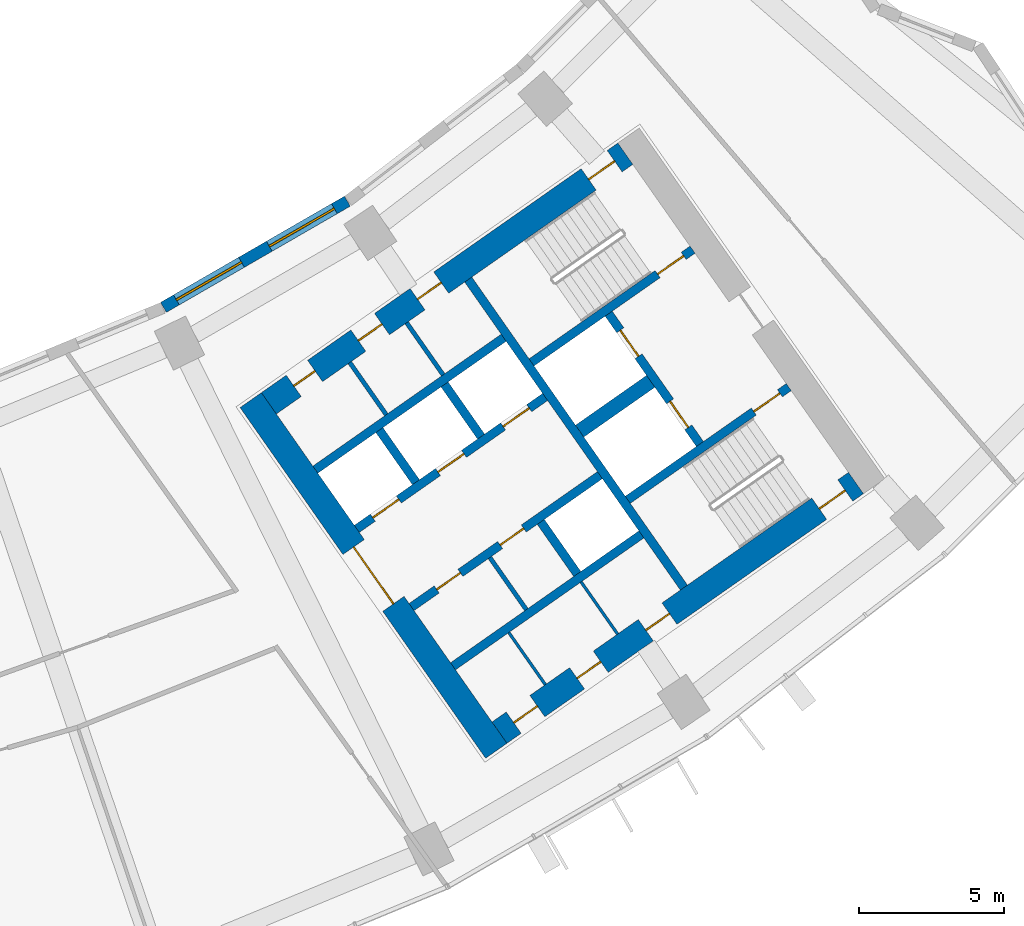
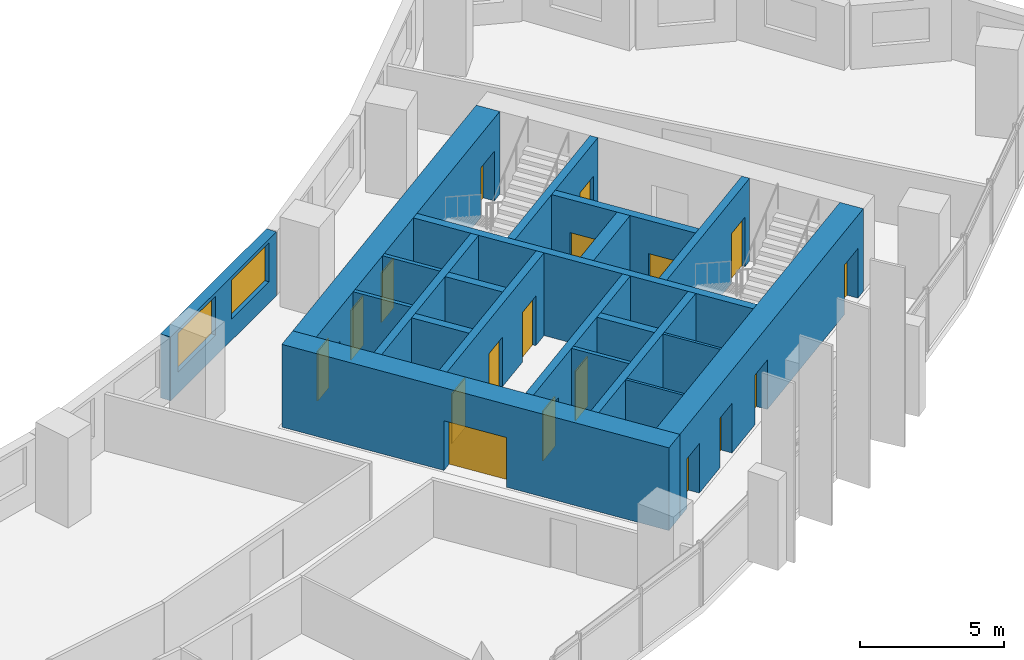
# One storey, part 7 of 30: 21 walls, 18 doors, 2 windows, 20 openings.
"""IFC4 building model written with IfcOpenShell, lengths in metres."""

from ifc_helpers import new_model, si_unit, direction, frame, frame_2d, origin, place, context, subcontext, project, spatial, rectangle, extrude, material, layer, layer_set, type_object, element, fill, save


model = new_model("IFC4")

# Units and contexts
model_context = context("Model", 3, precision=1e-05, world=origin(), true_north=direction((0.0, 1.0)))
body_context = subcontext(model_context, "Body", "Model", "MODEL_VIEW")
ifc_project = project(units=[si_unit("LENGTHUNIT", "METRE"), si_unit("AREAUNIT", "SQUARE_METRE"), si_unit("VOLUMEUNIT", "CUBIC_METRE"), si_unit("PLANEANGLEUNIT", "RADIAN"), si_unit("MASSUNIT", "GRAM", prefix="KILO")], contexts=[model_context])

# Site, building, storey
site_placement = place(None, origin())
site = spatial("IfcSite", under=ifc_project, at=site_placement, CompositionType="ELEMENT")
building_placement = place(site_placement, origin())
building = spatial("IfcBuilding", under=site, at=building_placement, Name="Qamariyya Broadcast Tower", CompositionType="ELEMENT")
storey_placement = place(building_placement, frame((0.0, 0.0, 125.300048828125)))
storey = spatial("IfcBuildingStorey", under=building, at=storey_placement, Name="L28", CompositionType="ELEMENT", Elevation=125.300048828125)

# Wall, opening, door
ifc_material_1 = material(Name="Concrete C70/85", Category="concrete")
ifc_layer_1 = layer(ifc_material_1, 0.89990234375)
ifc_layer_set_1 = layer_set([ifc_layer_1], Name="Core wall 900 mm Concrete C70/85")
wall_type_1 = type_object("IfcWallType", Name="Core wall 900 mm Concrete C70/85", PredefinedType="SHEAR", material=ifc_layer_set_1)
wall_1_placement = place(storey_placement, frame((36.716796875, -66.3369140625, 0.0), z_axis=(0.0, 0.0, 1.0), x_axis=(-0.573577477574, 0.819151315216, 0.0)))
wall_1 = element("IfcWall", 1, at=wall_1_placement, inside=storey, type_object=wall_type_1, Name="k-E-L28-WA", PredefinedType="SHEAR", context=body_context, shape_type="SweptSolid", body=[
    extrude(rectangle(XDim=14.800048828125, YDim=0.89990234375, at=frame_2d((7.39990234375, 0.0))), origin(), (0.0, 0.0, 1.0), 3.5),
])
opening_1_placement = place(wall_1_placement, frame((6.199951171875, 0.0, 0.0)))
opening_1 = element("IfcOpeningElement", 2, at=opening_1_placement, cuts=wall_1, Name="Opening KD3-E1", PredefinedType="OPENING", context=body_context, shape_type="SweptSolid", body=[
    extrude(rectangle(XDim=2.39990234375, YDim=2.10009765625, at=frame_2d((1.199951171875, 1.050048828125))), frame((0.0, 0.4599609375, 0.0), z_axis=(0.0, -1.0, 0.0), x_axis=(1.0, 0.0, 0.0)), (0.0, 0.0, 1.0), 0.919921875),
])
ifc_material_2 = material(Name="Steel fire-resisting door leaf", Category="steel")
door_type_1 = type_object("IfcDoorType", Name="Lift lobby door KD3", OperationType="DOUBLE_DOOR_SINGLE_SWING", PredefinedType="DOOR", material=ifc_material_2)
door_1_placement = place(opening_1_placement, origin())
door_1 = element("IfcDoor", 3, at=door_1_placement, inside=storey, type_object=door_type_1, Name="k-E-L28-WA-D1", OperationType="DOUBLE_DOOR_SINGLE_SWING", OverallHeight=2.10009765625, OverallWidth=2.39990234375, PredefinedType="DOOR", context=body_context, shape_type="SweptSolid", body=[
    extrude(rectangle(XDim=2.39990234375, YDim=2.10009765625, at=frame_2d((1.199951171875, 1.050048828125))), frame((0.0, 0.02490234375, 0.0), z_axis=(0.0, -1.0, 0.0), x_axis=(1.0, 0.0, 0.0)), (0.0, 0.0, 1.0), 0.050048828125),
])
fill(opening_1, door_1)

# Wall, openings, doors
wall_2_placement = place(storey_placement, frame((28.8544921875, -54.32421875, 0.0), z_axis=(0.0, 0.0, 1.0), x_axis=(0.819145767589, 0.573585400304, 0.0)))
wall_2 = element("IfcWall", 4, at=wall_2_placement, inside=storey, type_object=wall_type_1, Name="k-E-L28-WI", PredefinedType="SHEAR", context=body_context, shape_type="SweptSolid", body=[
    extrude(rectangle(XDim=15.04541015625, YDim=0.89990234375, at=frame_2d((7.522705078125, 0.0))), origin(), (0.0, 0.0, 1.0), 3.5),
])
opening_2_placement = place(wall_2_placement, frame((1.050048828125, 0.0, 0.0)))
opening_2 = element("IfcOpeningElement", 5, at=opening_2_placement, cuts=wall_2, Name="Opening KD5-E1", PredefinedType="OPENING", context=body_context, shape_type="SweptSolid", body=[
    extrude(rectangle(XDim=0.89990234375, YDim=2.10009765625, at=frame_2d((0.449951171875, 1.050048828125))), frame((0.0, 0.4599609375, 0.0), z_axis=(0.0, -1.0, 0.0), x_axis=(1.0, 0.0, 0.0)), (0.0, 0.0, 1.0), 0.919921875),
])
opening_3_placement = place(wall_2_placement, frame((3.77490234375, 0.0, 0.0)))
opening_3 = element("IfcOpeningElement", 6, at=opening_3_placement, cuts=wall_2, Name="Opening KD7-E1", PredefinedType="OPENING", context=body_context, shape_type="SweptSolid", body=[
    extrude(rectangle(XDim=1.0, YDim=2.10009765625, at=frame_2d((0.5, 1.050048828125))), frame((0.0, 0.4599609375, 0.0), z_axis=(0.0, -1.0, 0.0), x_axis=(1.0, 0.0, 0.0)), (0.0, 0.0, 1.0), 0.919921875),
])
opening_4_placement = place(wall_2_placement, frame((6.27490234375, 0.0, 0.0)))
opening_4 = element("IfcOpeningElement", 7, at=opening_4_placement, cuts=wall_2, Name="Opening KD6-E3", PredefinedType="OPENING", context=body_context, shape_type="SweptSolid", body=[
    extrude(rectangle(XDim=1.0, YDim=2.10009765625, at=frame_2d((0.5, 1.050048828125))), frame((0.0, 0.4599609375, 0.0), z_axis=(0.0, -1.0, 0.0), x_axis=(1.0, 0.0, 0.0)), (0.0, 0.0, 1.0), 0.919921875),
])
opening_5_placement = place(wall_2_placement, frame((13.495361328125, 0.0, 0.0)))
opening_5 = element("IfcOpeningElement", 8, at=opening_5_placement, cuts=wall_2, Name="Opening KD1-E1", PredefinedType="OPENING", context=body_context, shape_type="SweptSolid", body=[
    extrude(rectangle(XDim=1.10009765625, YDim=2.10009765625, at=frame_2d((0.550048828125, 1.050048828125))), frame((0.0, 0.4599609375, 0.0), z_axis=(0.0, -1.0, 0.0), x_axis=(1.0, 0.0, 0.0)), (0.0, 0.0, 1.0), 0.919921875),
])
door_type_2 = type_object("IfcDoorType", Name="Accessible toilet door KD7", OperationType="SINGLE_SWING_LEFT", PredefinedType="DOOR", material=ifc_material_2)
door_2_placement = place(opening_3_placement, origin())
door_2 = element("IfcDoor", 9, at=door_2_placement, inside=storey, type_object=door_type_2, Name="k-E-L28-WI-D8", OperationType="SINGLE_SWING_RIGHT", OverallHeight=2.10009765625, OverallWidth=1.0, PredefinedType="DOOR", context=body_context, shape_type="SweptSolid", body=[
    extrude(rectangle(XDim=1.0, YDim=2.10009765625, at=frame_2d((0.5, 1.050048828125))), frame((0.0, 0.02490234375, 0.0), z_axis=(0.0, -1.0, 0.0), x_axis=(1.0, 0.0, 0.0)), (0.0, 0.0, 1.0), 0.050048828125),
])
fill(opening_3, door_2)
door_type_3 = type_object("IfcDoorType", Name="Core room door KD6", OperationType="SINGLE_SWING_LEFT", PredefinedType="DOOR", material=ifc_material_2)
door_3_placement = place(opening_4_placement, origin())
door_3 = element("IfcDoor", 10, at=door_3_placement, inside=storey, type_object=door_type_3, Name="k-E-L28-WI-D9", OperationType="SINGLE_SWING_LEFT", OverallHeight=2.10009765625, OverallWidth=1.0, PredefinedType="DOOR", context=body_context, shape_type="SweptSolid", body=[
    extrude(rectangle(XDim=1.0, YDim=2.10009765625, at=frame_2d((0.5, 1.050048828125))), frame((0.0, 0.02490234375, 0.0), z_axis=(0.0, -1.0, 0.0), x_axis=(1.0, 0.0, 0.0)), (0.0, 0.0, 1.0), 0.050048828125),
])
fill(opening_4, door_3)
door_type_4 = type_object("IfcDoorType", Name="Stair door KD1", OperationType="SINGLE_SWING_LEFT", PredefinedType="DOOR", material=ifc_material_2)
door_4_placement = place(opening_5_placement, origin())
door_4 = element("IfcDoor", 11, at=door_4_placement, inside=storey, type_object=door_type_4, Name="k-E-L28-WI-D16", OperationType="SINGLE_SWING_RIGHT", OverallHeight=2.10009765625, OverallWidth=1.10009765625, PredefinedType="DOOR", context=body_context, shape_type="SweptSolid", body=[
    extrude(rectangle(XDim=1.10009765625, YDim=2.10009765625, at=frame_2d((0.550048828125, 1.050048828125))), frame((0.0, 0.02490234375, 0.0), z_axis=(0.0, -1.0, 0.0), x_axis=(1.0, 0.0, 0.0)), (0.0, 0.0, 1.0), 0.050048828125),
])
fill(opening_5, door_4)
door_type_5 = type_object("IfcDoorType", Name="Toilet door KD5", OperationType="SINGLE_SWING_LEFT", PredefinedType="DOOR", material=ifc_material_2)
door_5_placement = place(opening_2_placement, origin())
door_5 = element("IfcDoor", 12, at=door_5_placement, inside=storey, type_object=door_type_5, Name="k-E-L28-WI-D7", OperationType="SINGLE_SWING_LEFT", OverallHeight=2.10009765625, OverallWidth=0.89990234375, PredefinedType="DOOR", context=body_context, shape_type="SweptSolid", body=[
    extrude(rectangle(XDim=0.89990234375, YDim=2.10009765625, at=frame_2d((0.449951171875, 1.050048828125))), frame((0.0, 0.02490234375, 0.0), z_axis=(0.0, -1.0, 0.0), x_axis=(1.0, 0.0, 0.0)), (0.0, 0.0, 1.0), 0.050048828125),
])
fill(opening_2, door_5)

wall_3_placement = place(storey_placement, frame((36.827392578125, -65.710205078125, 0.0), z_axis=(0.0, 0.0, 1.0), x_axis=(0.819153391756, 0.573574511963, 0.0)))
wall_3 = element("IfcWall", 13, at=wall_3_placement, inside=storey, type_object=wall_type_1, Name="k-E-L28-WO", PredefinedType="SHEAR", context=body_context, shape_type="SweptSolid", body=[
    extrude(rectangle(XDim=15.04541015625, YDim=0.89990234375, at=frame_2d((7.522705078125, 0.0))), origin(), (0.0, 0.0, 1.0), 3.5),
])
opening_6_placement = place(wall_3_placement, frame((0.60009765625, 0.0, 0.0)))
opening_6 = element("IfcOpeningElement", 14, at=opening_6_placement, cuts=wall_3, Name="Opening KD4-E1", PredefinedType="OPENING", context=body_context, shape_type="SweptSolid", body=[
    extrude(rectangle(XDim=1.0, YDim=2.10009765625, at=frame_2d((0.5, 1.050048828125))), frame((0.0, 0.4599609375, 0.0), z_axis=(0.0, -1.0, 0.0), x_axis=(1.0, 0.0, 0.0)), (0.0, 0.0, 1.0), 0.919921875),
])
opening_7_placement = place(wall_3_placement, frame((3.27490234375, 0.0, 0.0)))
opening_7 = element("IfcOpeningElement", 15, at=opening_7_placement, cuts=wall_3, Name="Opening KD4-E2", PredefinedType="OPENING", context=body_context, shape_type="SweptSolid", body=[
    extrude(rectangle(XDim=1.0, YDim=2.10009765625, at=frame_2d((0.5, 1.050048828125))), frame((0.0, 0.4599609375, 0.0), z_axis=(0.0, -1.0, 0.0), x_axis=(1.0, 0.0, 0.0)), (0.0, 0.0, 1.0), 0.919921875),
])
opening_8_placement = place(wall_3_placement, frame((6.175048828125, 0.0, 0.0)))
opening_8 = element("IfcOpeningElement", 16, at=opening_8_placement, cuts=wall_3, Name="Opening KD4-E3", PredefinedType="OPENING", context=body_context, shape_type="SweptSolid", body=[
    extrude(rectangle(XDim=1.0, YDim=2.10009765625, at=frame_2d((0.5, 1.050048828125))), frame((0.0, 0.4599609375, 0.0), z_axis=(0.0, -1.0, 0.0), x_axis=(1.0, 0.0, 0.0)), (0.0, 0.0, 1.0), 0.919921875),
])
opening_9_placement = place(wall_3_placement, frame((13.495361328125, 0.0, 0.0)))
opening_9 = element("IfcOpeningElement", 17, at=opening_9_placement, cuts=wall_3, Name="Opening KD1-E3", PredefinedType="OPENING", context=body_context, shape_type="SweptSolid", body=[
    extrude(rectangle(XDim=1.10009765625, YDim=2.10009765625, at=frame_2d((0.550048828125, 1.050048828125))), frame((0.0, 0.4599609375, 0.0), z_axis=(0.0, -1.0, 0.0), x_axis=(1.0, 0.0, 0.0)), (0.0, 0.0, 1.0), 0.919921875),
])
door_type_6 = type_object("IfcDoorType", Name="Riser and plant door KD4", OperationType="SINGLE_SWING_LEFT", PredefinedType="DOOR", material=ifc_material_2)
door_6_placement = place(opening_6_placement, origin())
door_6 = element("IfcDoor", 18, at=door_6_placement, inside=storey, type_object=door_type_6, Name="k-E-L28-WO-D10", OperationType="SINGLE_SWING_RIGHT", OverallHeight=2.10009765625, OverallWidth=1.0, PredefinedType="DOOR", context=body_context, shape_type="SweptSolid", body=[
    extrude(rectangle(XDim=1.0, YDim=2.10009765625, at=frame_2d((0.5, 1.050048828125))), frame((0.0, 0.02490234375, 0.0), z_axis=(0.0, -1.0, 0.0), x_axis=(1.0, 0.0, 0.0)), (0.0, 0.0, 1.0), 0.050048828125),
])
fill(opening_6, door_6)
door_7_placement = place(opening_7_placement, origin())
door_7 = element("IfcDoor", 19, at=door_7_placement, inside=storey, type_object=door_type_6, Name="k-E-L28-WO-D11", OperationType="SINGLE_SWING_LEFT", OverallHeight=2.10009765625, OverallWidth=1.0, PredefinedType="DOOR", context=body_context, shape_type="SweptSolid", body=[
    extrude(rectangle(XDim=1.0, YDim=2.10009765625, at=frame_2d((0.5, 1.050048828125))), frame((0.0, 0.02490234375, 0.0), z_axis=(0.0, -1.0, 0.0), x_axis=(1.0, 0.0, 0.0)), (0.0, 0.0, 1.0), 0.050048828125),
])
fill(opening_7, door_7)
door_8_placement = place(opening_8_placement, origin())
door_8 = element("IfcDoor", 20, at=door_8_placement, inside=storey, type_object=door_type_6, Name="k-E-L28-WO-D12", OperationType="SINGLE_SWING_RIGHT", OverallHeight=2.10009765625, OverallWidth=1.0, PredefinedType="DOOR", context=body_context, shape_type="SweptSolid", body=[
    extrude(rectangle(XDim=1.0, YDim=2.10009765625, at=frame_2d((0.5, 1.050048828125))), frame((0.0, 0.02490234375, 0.0), z_axis=(0.0, -1.0, 0.0), x_axis=(1.0, 0.0, 0.0)), (0.0, 0.0, 1.0), 0.050048828125),
])
fill(opening_8, door_8)
door_9_placement = place(opening_9_placement, origin())
door_9 = element("IfcDoor", 21, at=door_9_placement, inside=storey, type_object=door_type_4, Name="k-E-L28-WO-D18", OperationType="SINGLE_SWING_LEFT", OverallHeight=2.10009765625, OverallWidth=1.10009765625, PredefinedType="DOOR", context=body_context, shape_type="SweptSolid", body=[
    extrude(rectangle(XDim=1.10009765625, YDim=2.10009765625, at=frame_2d((0.550048828125, 1.050048828125))), frame((0.0, 0.02490234375, 0.0), z_axis=(0.0, -1.0, 0.0), x_axis=(1.0, 0.0, 0.0)), (0.0, 0.0, 1.0), 0.050048828125),
])
fill(opening_9, door_9)

# Walls
ifc_material_3 = material(Name="Concrete C60/75", Category="concrete")
ifc_layer_2 = layer(ifc_material_3, 0.5)
ifc_layer_set_2 = layer_set([ifc_layer_2], Name="Fire-fighting lobby divider wall 500 mm Concrete C60/75")
wall_type_2 = type_object("IfcWallType", Name="Fire-fighting lobby divider wall 500 mm Concrete C60/75", PredefinedType="SOLIDWALL", material=ifc_layer_set_2)
wall_4_placement = place(storey_placement, frame((39.59912109375, -55.28515625, 0.0), z_axis=(0.0, 0.0, 1.0), x_axis=(0.819136323161, 0.573598887793, 0.0)))
element("IfcWall", 22, at=wall_4_placement, inside=storey, type_object=wall_type_2, Name="k-E-L28-FD", PredefinedType="SOLIDWALL", context=body_context, shape_type="SweptSolid", body=[
    extrude(rectangle(XDim=2.999755859375, YDim=0.5, at=frame_2d((1.5, 0.0))), origin(), (0.0, 0.0, 1.0), 3.5),
])
ifc_material_4 = material(Name="Gypsum board partition on steel studs", Category="steel")
ifc_layer_3 = layer(ifc_material_4, 0.14990234375)
ifc_layer_set_3 = layer_set([ifc_layer_3], Name="Gypsum board partition 150 mm")
wall_type_3 = type_object("IfcWallType", Name="Gypsum board partition 150 mm", PredefinedType="PARTITIONING", material=ifc_layer_set_3)
wall_5_placement = place(storey_placement, frame((36.49462890625, -59.65625, 0.0), z_axis=(0.0, 0.0, 1.0), x_axis=(0.573633636671, -0.819111989218, 0.0)))
element("IfcWall", 23, at=wall_5_placement, inside=storey, type_object=wall_type_3, Name="k-E-L28-SC320", PredefinedType="PARTITIONING", context=body_context, shape_type="SweptSolid", body=[
    extrude(rectangle(XDim=2.199951171875, YDim=0.14990234375, at=frame_2d((1.10009765625, 0.0))), origin(), (0.0, 0.0, 1.0), 3.5),
])
wall_6_placement = place(storey_placement, frame((32.9140625, -54.716796875, 0.0), z_axis=(0.0, 0.0, 1.0), x_axis=(-0.573581496053, 0.819148501424, 0.0)))
element("IfcWall", 24, at=wall_6_placement, inside=storey, type_object=wall_type_3, Name="k-E-L28-NP310", PredefinedType="PARTITIONING", context=body_context, shape_type="SweptSolid", body=[
    extrude(rectangle(XDim=2.2001953125, YDim=0.14990234375, at=frame_2d((1.10009765625, 0.0))), origin(), (0.0, 0.0, 1.0), 3.5),
])
wall_7_placement = place(storey_placement, frame((34.8798828125, -53.340087890625, 0.0), z_axis=(0.0, 0.0, 1.0), x_axis=(-0.573559170999, 0.819164133348, 0.0)))
element("IfcWall", 25, at=wall_7_placement, inside=storey, type_object=wall_type_3, Name="k-E-L28-NP550", PredefinedType="PARTITIONING", context=body_context, shape_type="SweptSolid", body=[
    extrude(rectangle(XDim=2.19970703125, YDim=0.14990234375, at=frame_2d((1.099853515625, 0.0))), origin(), (0.0, 0.0, 1.0), 3.5),
])
ifc_layer_4 = layer(ifc_material_3, 0.300048828125)
ifc_layer_set_4 = layer_set([ifc_layer_4], Name="Lift shaft wall 300 mm Concrete C60/75")
wall_type_4 = type_object("IfcWallType", Name="Lift shaft wall 300 mm Concrete C60/75", PredefinedType="SOLIDWALL", material=ifc_layer_set_4)
wall_8_placement = place(storey_placement, frame((43.204345703125, -60.69580078125, 0.0), z_axis=(0.0, 0.0, 1.0), x_axis=(-0.573571992966, 0.819155155563, 0.0)))
element("IfcWall", 26, at=wall_8_placement, inside=storey, type_object=wall_type_4, Name="k-E-L28-WL", PredefinedType="SOLIDWALL", context=body_context, shape_type="SweptSolid", body=[
    extrude(rectangle(XDim=13.000244140625, YDim=0.300048828125, at=frame_2d((6.5, 0.0))), origin(), (0.0, 0.0, 1.0), 3.5),
])

# Wall, openings, doors
wall_9_placement = place(storey_placement, frame((31.89453125, -58.66552734375, 0.0), z_axis=(0.0, 0.0, 1.0), x_axis=(0.819166993208, 0.573555086491, 0.0)))
wall_9 = element("IfcWall", 27, at=wall_9_placement, inside=storey, type_object=wall_type_4, Name="k-E-L28-NF0", PredefinedType="SOLIDWALL", context=body_context, shape_type="SweptSolid", body=[
    extrude(rectangle(XDim=7.9501953125, YDim=0.300048828125, at=frame_2d((3.97509765625, 0.0))), origin(), (0.0, 0.0, 1.0), 3.5),
])
opening_10_placement = place(wall_9_placement, frame((0.675048828125, 0.0, 0.0)))
opening_10 = element("IfcOpeningElement", 28, at=opening_10_placement, cuts=wall_9, Name="Opening LD", PredefinedType="OPENING", context=body_context, shape_type="SweptSolid", body=[
    extrude(rectangle(XDim=1.10009765625, YDim=2.10009765625, at=frame_2d((0.550048828125, 1.050048828125))), frame((0.0, 0.159912109375, 0.0), z_axis=(0.0, -1.0, 0.0), x_axis=(1.0, 0.0, 0.0)), (0.0, 0.0, 1.0), 0.320068359375),
])
opening_11_placement = place(wall_9_placement, frame((3.425048828125, 0.0, 0.0)))
opening_11 = element("IfcOpeningElement", 29, at=opening_11_placement, cuts=wall_9, Name="Opening LD", PredefinedType="OPENING", context=body_context, shape_type="SweptSolid", body=[
    extrude(rectangle(XDim=1.10009765625, YDim=2.10009765625, at=frame_2d((0.550048828125, 1.050048828125))), frame((0.0, 0.159912109375, 0.0), z_axis=(0.0, -1.0, 0.0), x_axis=(1.0, 0.0, 0.0)), (0.0, 0.0, 1.0), 0.320068359375),
])
opening_12_placement = place(wall_9_placement, frame((6.175048828125, 0.0, 0.0)))
opening_12 = element("IfcOpeningElement", 30, at=opening_12_placement, cuts=wall_9, Name="Opening LD", PredefinedType="OPENING", context=body_context, shape_type="SweptSolid", body=[
    extrude(rectangle(XDim=1.10009765625, YDim=2.10009765625, at=frame_2d((0.550048828125, 1.050048828125))), frame((0.0, 0.159912109375, 0.0), z_axis=(0.0, -1.0, 0.0), x_axis=(1.0, 0.0, 0.0)), (0.0, 0.0, 1.0), 0.320068359375),
])
door_type_7 = type_object("IfcDoorType", Name="Lift landing door LD", OperationType="DOUBLE_DOOR_SLIDING", PredefinedType="DOOR", material=ifc_material_2)
door_10_placement = place(opening_10_placement, origin())
door_10 = element("IfcDoor", 31, at=door_10_placement, inside=storey, type_object=door_type_7, Name="k-E-L28-NF0-D2", OperationType="DOUBLE_DOOR_SLIDING", OverallHeight=2.10009765625, OverallWidth=1.10009765625, PredefinedType="DOOR", context=body_context, shape_type="SweptSolid", body=[
    extrude(rectangle(XDim=1.10009765625, YDim=2.10009765625, at=frame_2d((0.550048828125, 1.050048828125))), frame((0.0, 0.02490234375, 0.0), z_axis=(0.0, -1.0, 0.0), x_axis=(1.0, 0.0, 0.0)), (0.0, 0.0, 1.0), 0.050048828125),
])
fill(opening_10, door_10)
door_11_placement = place(opening_11_placement, origin())
door_11 = element("IfcDoor", 32, at=door_11_placement, inside=storey, type_object=door_type_7, Name="k-E-L28-NF0-D3", OperationType="DOUBLE_DOOR_SLIDING", OverallHeight=2.10009765625, OverallWidth=1.10009765625, PredefinedType="DOOR", context=body_context, shape_type="SweptSolid", body=[
    extrude(rectangle(XDim=1.10009765625, YDim=2.10009765625, at=frame_2d((0.550048828125, 1.050048828125))), frame((0.0, 0.02490234375, 0.0), z_axis=(0.0, -1.0, 0.0), x_axis=(1.0, 0.0, 0.0)), (0.0, 0.0, 1.0), 0.050048828125),
])
fill(opening_11, door_11)
door_12_placement = place(opening_12_placement, origin())
door_12 = element("IfcDoor", 33, at=door_12_placement, inside=storey, type_object=door_type_7, Name="k-E-L28-NF0-D4", OperationType="DOUBLE_DOOR_SLIDING", OverallHeight=2.10009765625, OverallWidth=1.10009765625, PredefinedType="DOOR", context=body_context, shape_type="SweptSolid", body=[
    extrude(rectangle(XDim=1.10009765625, YDim=2.10009765625, at=frame_2d((0.550048828125, 1.050048828125))), frame((0.0, 0.02490234375, 0.0), z_axis=(0.0, -1.0, 0.0), x_axis=(1.0, 0.0, 0.0)), (0.0, 0.0, 1.0), 0.050048828125),
])
fill(opening_12, door_12)

# Walls
wall_10_placement = place(storey_placement, frame((30.460693359375, -56.61767578125, 0.0), z_axis=(0.0, 0.0, 1.0), x_axis=(0.819142461705, 0.573590121456, 0.0)))
element("IfcWall", 34, at=wall_10_placement, inside=storey, type_object=wall_type_4, Name="k-E-L28-NB0", PredefinedType="SOLIDWALL", context=body_context, shape_type="SweptSolid", body=[
    extrude(rectangle(XDim=7.949951171875, YDim=0.300048828125, at=frame_2d((3.97509765625, 0.0))), origin(), (0.0, 0.0, 1.0), 3.5),
])
wall_11_placement = place(storey_placement, frame((33.9384765625, -57.051513671875, 0.0), z_axis=(0.0, 0.0, 1.0), x_axis=(-0.573581496053, 0.819148501424, 0.0)))
element("IfcWall", 35, at=wall_11_placement, inside=storey, type_object=wall_type_4, Name="k-E-L28-ND0", PredefinedType="SOLIDWALL", context=body_context, shape_type="SweptSolid", body=[
    extrude(rectangle(XDim=2.2001953125, YDim=0.300048828125, at=frame_2d((1.10009765625, 0.0))), origin(), (0.0, 0.0, 1.0), 3.5),
])
wall_12_placement = place(storey_placement, frame((36.19091796875, -55.47412109375, 0.0), z_axis=(0.0, 0.0, 1.0), x_axis=(-0.573507030513, 0.819200638399, 0.0)))
element("IfcWall", 36, at=wall_12_placement, inside=storey, type_object=wall_type_4, Name="k-E-L28-ND1", PredefinedType="SOLIDWALL", context=body_context, shape_type="SweptSolid", body=[
    extrude(rectangle(XDim=2.199951171875, YDim=0.300048828125, at=frame_2d((1.10009765625, 0.0))), origin(), (0.0, 0.0, 1.0), 3.5),
])

# Wall, openings, doors
wall_13_placement = place(storey_placement, frame((33.787353515625, -61.368896484375, 0.0), z_axis=(0.0, 0.0, 1.0), x_axis=(0.819152564888, 0.573575692858, 0.0)))
wall_13 = element("IfcWall", 37, at=wall_13_placement, inside=storey, type_object=wall_type_4, Name="k-E-L28-SF0", PredefinedType="SOLIDWALL", context=body_context, shape_type="SweptSolid", body=[
    extrude(rectangle(XDim=7.9501953125, YDim=0.300048828125, at=frame_2d((3.97509765625, 0.0))), origin(), (0.0, 0.0, 1.0), 3.5),
])
opening_13_placement = place(wall_13_placement, frame((1.0625, 0.0, 0.0)))
opening_13 = element("IfcOpeningElement", 38, at=opening_13_placement, cuts=wall_13, Name="Opening KD6-E1", PredefinedType="OPENING", context=body_context, shape_type="SweptSolid", body=[
    extrude(rectangle(XDim=1.0, YDim=2.10009765625, at=frame_2d((0.5, 1.050048828125))), frame((0.0, 0.159912109375, 0.0), z_axis=(0.0, -1.0, 0.0), x_axis=(1.0, 0.0, 0.0)), (0.0, 0.0, 1.0), 0.320068359375),
])
opening_14_placement = place(wall_13_placement, frame((3.737548828125, 0.0, 0.0)))
opening_14 = element("IfcOpeningElement", 39, at=opening_14_placement, cuts=wall_13, Name="Opening KD6-E2", PredefinedType="OPENING", context=body_context, shape_type="SweptSolid", body=[
    extrude(rectangle(XDim=1.0, YDim=2.10009765625, at=frame_2d((0.5, 1.050048828125))), frame((0.0, 0.159912109375, 0.0), z_axis=(0.0, -1.0, 0.0), x_axis=(1.0, 0.0, 0.0)), (0.0, 0.0, 1.0), 0.320068359375),
])
door_13_placement = place(opening_13_placement, origin())
door_13 = element("IfcDoor", 40, at=door_13_placement, inside=storey, type_object=door_type_3, Name="k-E-L28-SF0-D5", OperationType="SINGLE_SWING_LEFT", OverallHeight=2.10009765625, OverallWidth=1.0, PredefinedType="DOOR", context=body_context, shape_type="SweptSolid", body=[
    extrude(rectangle(XDim=1.0, YDim=2.10009765625, at=frame_2d((0.5, 1.050048828125))), frame((0.0, 0.02490234375, 0.0), z_axis=(0.0, -1.0, 0.0), x_axis=(1.0, 0.0, 0.0)), (0.0, 0.0, 1.0), 0.050048828125),
])
fill(opening_13, door_13)
door_14_placement = place(opening_14_placement, origin())
door_14 = element("IfcDoor", 41, at=door_14_placement, inside=storey, type_object=door_type_3, Name="k-E-L28-SF0-D6", OperationType="SINGLE_SWING_RIGHT", OverallHeight=2.10009765625, OverallWidth=1.0, PredefinedType="DOOR", context=body_context, shape_type="SweptSolid", body=[
    extrude(rectangle(XDim=1.0, YDim=2.10009765625, at=frame_2d((0.5, 1.050048828125))), frame((0.0, 0.02490234375, 0.0), z_axis=(0.0, -1.0, 0.0), x_axis=(1.0, 0.0, 0.0)), (0.0, 0.0, 1.0), 0.050048828125),
])
fill(opening_14, door_14)

# Walls
wall_14_placement = place(storey_placement, frame((35.22119140625, -63.41650390625, 0.0), z_axis=(0.0, 0.0, 1.0), x_axis=(0.819166993208, 0.573555086491, 0.0)))
element("IfcWall", 42, at=wall_14_placement, inside=storey, type_object=wall_type_4, Name="k-E-L28-SB0", PredefinedType="SOLIDWALL", context=body_context, shape_type="SweptSolid", body=[
    extrude(rectangle(XDim=7.9501953125, YDim=0.300048828125, at=frame_2d((3.97509765625, 0.0))), origin(), (0.0, 0.0, 1.0), 3.5),
])
wall_15_placement = place(storey_placement, frame((38.255859375, -58.423095703125, 0.0), z_axis=(0.0, 0.0, 1.0), x_axis=(0.573633636671, -0.819111989218, 0.0)))
element("IfcWall", 43, at=wall_15_placement, inside=storey, type_object=wall_type_4, Name="k-E-L28-SD1", PredefinedType="SOLIDWALL", context=body_context, shape_type="SweptSolid", body=[
    extrude(rectangle(XDim=2.199951171875, YDim=0.300048828125, at=frame_2d((1.10009765625, 0.0))), origin(), (0.0, 0.0, 1.0), 3.5),
])

# Wall, opening, door
wall_16_placement = place(storey_placement, frame((37.935546875, -52.90966796875, 0.0), z_axis=(0.0, 0.0, 1.0), x_axis=(0.819147518138, 0.57358290031, 0.0)))
wall_16 = element("IfcWall", 44, at=wall_16_placement, inside=storey, type_object=wall_type_4, Name="k-E-L28-NW", PredefinedType="SOLIDWALL", context=body_context, shape_type="SweptSolid", body=[
    extrude(rectangle(XDim=6.79541015625, YDim=0.300048828125, at=frame_2d((3.397705078125, 0.0))), origin(), (0.0, 0.0, 1.0), 3.5),
])
opening_15_placement = place(wall_16_placement, frame((5.3203125, 0.0, 0.0)))
opening_15 = element("IfcOpeningElement", 45, at=opening_15_placement, cuts=wall_16, Name="Opening KD1-E2", PredefinedType="OPENING", context=body_context, shape_type="SweptSolid", body=[
    extrude(rectangle(XDim=1.10009765625, YDim=2.10009765625, at=frame_2d((0.550048828125, 1.050048828125))), frame((0.0, 0.159912109375, 0.0), z_axis=(0.0, -1.0, 0.0), x_axis=(1.0, 0.0, 0.0)), (0.0, 0.0, 1.0), 0.320068359375),
])
door_15_placement = place(opening_15_placement, origin())
door_15 = element("IfcDoor", 46, at=door_15_placement, inside=storey, type_object=door_type_4, Name="k-E-L28-NW-D17", OperationType="SINGLE_SWING_LEFT", OverallHeight=2.10009765625, OverallWidth=1.10009765625, PredefinedType="DOOR", context=body_context, shape_type="SweptSolid", body=[
    extrude(rectangle(XDim=1.10009765625, YDim=2.10009765625, at=frame_2d((0.550048828125, 1.050048828125))), frame((0.0, 0.02490234375, 0.0), z_axis=(0.0, -1.0, 0.0), x_axis=(1.0, 0.0, 0.0)), (0.0, 0.0, 1.0), 0.050048828125),
])
fill(opening_15, door_15)

wall_17_placement = place(storey_placement, frame((41.262451171875, -57.66064453125, 0.0), z_axis=(0.0, 0.0, 1.0), x_axis=(0.819164398642, 0.573558792102, 0.0)))
wall_17 = element("IfcWall", 47, at=wall_17_placement, inside=storey, type_object=wall_type_4, Name="k-E-L28-SW", PredefinedType="SOLIDWALL", context=body_context, shape_type="SweptSolid", body=[
    extrude(rectangle(XDim=6.795166015625, YDim=0.300048828125, at=frame_2d((3.3974609375, 0.0))), origin(), (0.0, 0.0, 1.0), 3.5),
])
opening_16_placement = place(wall_17_placement, frame((5.3203125, 0.0, 0.0)))
opening_16 = element("IfcOpeningElement", 48, at=opening_16_placement, cuts=wall_17, Name="Opening KD1-E4", PredefinedType="OPENING", context=body_context, shape_type="SweptSolid", body=[
    extrude(rectangle(XDim=1.10009765625, YDim=2.10009765625, at=frame_2d((0.550048828125, 1.050048828125))), frame((0.0, 0.159912109375, 0.0), z_axis=(0.0, -1.0, 0.0), x_axis=(1.0, 0.0, 0.0)), (0.0, 0.0, 1.0), 0.320068359375),
])
door_16_placement = place(opening_16_placement, origin())
door_16 = element("IfcDoor", 49, at=door_16_placement, inside=storey, type_object=door_type_4, Name="k-E-L28-SW-D19", OperationType="SINGLE_SWING_LEFT", OverallHeight=2.10009765625, OverallWidth=1.10009765625, PredefinedType="DOOR", context=body_context, shape_type="SweptSolid", body=[
    extrude(rectangle(XDim=1.10009765625, YDim=2.10009765625, at=frame_2d((0.550048828125, 1.050048828125))), frame((0.0, 0.02490234375, 0.0), z_axis=(0.0, -1.0, 0.0), x_axis=(1.0, 0.0, 0.0)), (0.0, 0.0, 1.0), 0.050048828125),
])
fill(opening_16, door_16)

# Wall, openings, doors
wall_18_placement = place(storey_placement, frame((43.756591796875, -55.731201171875, 0.0), z_axis=(0.0, 0.0, 1.0), x_axis=(-0.573536818435, 0.819179783625, 0.0)))
wall_18 = element("IfcWall", 50, at=wall_18_placement, inside=storey, type_object=wall_type_4, Name="k-E-L28-FF", PredefinedType="SOLIDWALL", context=body_context, shape_type="SweptSolid", body=[
    extrude(rectangle(XDim=5.500244140625, YDim=0.300048828125, at=frame_2d((2.75, 0.0))), origin(), (0.0, 0.0, 1.0), 3.5),
])
opening_17_placement = place(wall_18_placement, frame((0.699951171875, 0.0, 0.0)))
opening_17 = element("IfcOpeningElement", 51, at=opening_17_placement, cuts=wall_18, Name="Opening LD", PredefinedType="OPENING", context=body_context, shape_type="SweptSolid", body=[
    extrude(rectangle(XDim=1.10009765625, YDim=2.10009765625, at=frame_2d((0.550048828125, 1.050048828125))), frame((0.0, 0.159912109375, 0.0), z_axis=(0.0, -1.0, 0.0), x_axis=(1.0, 0.0, 0.0)), (0.0, 0.0, 1.0), 0.320068359375),
])
opening_18_placement = place(wall_18_placement, frame((3.699951171875, 0.0, 0.0)))
opening_18 = element("IfcOpeningElement", 52, at=opening_18_placement, cuts=wall_18, Name="Opening LD", PredefinedType="OPENING", context=body_context, shape_type="SweptSolid", body=[
    extrude(rectangle(XDim=1.10009765625, YDim=2.10009765625, at=frame_2d((0.550048828125, 1.050048828125))), frame((0.0, 0.159912109375, 0.0), z_axis=(0.0, -1.0, 0.0), x_axis=(1.0, 0.0, 0.0)), (0.0, 0.0, 1.0), 0.320068359375),
])
door_17_placement = place(opening_17_placement, origin())
door_17 = element("IfcDoor", 53, at=door_17_placement, inside=storey, type_object=door_type_7, Name="k-E-L28-FF-D13", OperationType="DOUBLE_DOOR_SLIDING", OverallHeight=2.10009765625, OverallWidth=1.10009765625, PredefinedType="DOOR", context=body_context, shape_type="SweptSolid", body=[
    extrude(rectangle(XDim=1.10009765625, YDim=2.10009765625, at=frame_2d((0.550048828125, 1.050048828125))), frame((0.0, 0.02490234375, 0.0), z_axis=(0.0, -1.0, 0.0), x_axis=(1.0, 0.0, 0.0)), (0.0, 0.0, 1.0), 0.050048828125),
])
fill(opening_17, door_17)
door_18_placement = place(opening_18_placement, origin())
door_18 = element("IfcDoor", 54, at=door_18_placement, inside=storey, type_object=door_type_7, Name="k-E-L28-FF-D14", OperationType="DOUBLE_DOOR_SLIDING", OverallHeight=2.10009765625, OverallWidth=1.10009765625, PredefinedType="DOOR", context=body_context, shape_type="SweptSolid", body=[
    extrude(rectangle(XDim=1.10009765625, YDim=2.10009765625, at=frame_2d((0.550048828125, 1.050048828125))), frame((0.0, 0.02490234375, 0.0), z_axis=(0.0, -1.0, 0.0), x_axis=(1.0, 0.0, 0.0)), (0.0, 0.0, 1.0), 0.050048828125),
])
fill(opening_18, door_18)

# Walls
ifc_material_5 = material(Name="Fire-rated gypsum shaft liner on steel studs", Category="steel")
ifc_layer_5 = layer(ifc_material_5, 0.10009765625)
ifc_layer_set_5 = layer_set([ifc_layer_5], Name="Riser wall 100 mm")
wall_type_5 = type_object("IfcWallType", Name="Riser wall 100 mm", PredefinedType="PLUMBINGWALL", material=ifc_layer_set_5)
for number, where, z_axis, x_axis, name in (
    (55, (37.150390625, -62.2490234375, 0.0), (0.0, 0.0, 1.0), (0.573633636671, -0.819111989218, 0.0), "k-E-L28-SP225"),
    (56, (39.64892578125, -60.49951171875, 0.0), (0.0, 0.0, 1.0), (0.573507030513, -0.819200638399, 0.0), "k-E-L28-SP530"),
):
    element("IfcWall", number, at=place(storey_placement, frame(where, z_axis=z_axis, x_axis=x_axis)), inside=storey, type_object=wall_type_5, Name=name, PredefinedType="PLUMBINGWALL", context=body_context, shape_type="SweptSolid", body=[
        extrude(rectangle(XDim=2.199951171875, YDim=0.10009765625, at=frame_2d((1.10009765625, 0.0))), origin(), (0.0, 0.0, 1.0), 3.5),
    ])

# Wall, openings, windows
ifc_material_6 = material(Name="Terracotta", Category="masonry")
ifc_layer_6 = layer(ifc_material_6, 0.39990234375)
ifc_layer_set_6 = layer_set([ifc_layer_6], Name="Terracotta clad wall 400")
wall_type_6 = type_object("IfcWallType", Name="Terracotta clad wall 400", PredefinedType="SOLIDWALL", material=ifc_layer_set_6)
wall_19_placement = place(storey_placement, frame((31.568359375, -47.33642578125, 0.0), z_axis=(0.0, 0.0, 1.0), x_axis=(-0.866030525931, -0.499991128077, 0.0)))
wall_19 = element("IfcWall", 57, at=wall_19_placement, inside=storey, type_object=wall_type_6, Name="e-wl-L28-in130", PredefinedType="SOLIDWALL", context=body_context, shape_type="SweptSolid", body=[
    extrude(rectangle(XDim=7.341552734375, YDim=0.39990234375, at=frame_2d((3.6708984375, 0.0))), origin(), (0.0, 0.0, 1.0), 2.699951171875),
])
opening_19_placement = place(wall_19_placement, frame((4.224853515625, 0.0, 0.89990234375)))
opening_19 = element("IfcOpeningElement", 58, at=opening_19_placement, cuts=wall_19, Name="Opening W1", PredefinedType="OPENING", context=body_context, shape_type="SweptSolid", body=[
    extrude(rectangle(XDim=2.60009765625, YDim=1.64990234375, at=frame_2d((1.300048828125, 0.824951171875))), frame((0.0, 0.2099609375, 0.0), z_axis=(0.0, -1.0, 0.0), x_axis=(1.0, 0.0, 0.0)), (0.0, 0.0, 1.0), 0.419921875),
])
opening_20_placement = place(wall_19_placement, frame((0.5166015625, 0.0, 0.89990234375)))
opening_20 = element("IfcOpeningElement", 59, at=opening_20_placement, cuts=wall_19, Name="Opening W1", PredefinedType="OPENING", context=body_context, shape_type="SweptSolid", body=[
    extrude(rectangle(XDim=2.60009765625, YDim=1.64990234375, at=frame_2d((1.300048828125, 0.824951171875))), frame((0.0, 0.2099609375, 0.0), z_axis=(0.0, -1.0, 0.0), x_axis=(1.0, 0.0, 0.0)), (0.0, 0.0, 1.0), 0.419921875),
])
ifc_material_7 = material(Name="Clear low-e double glazed unit in aluminium frame", Category="aluminium")
window_type = type_object("IfcWindowType", Name="Ribbon window 2600 x 1650", PartitioningType="SINGLE_PANEL", PredefinedType="WINDOW", material=ifc_material_7)
window_1_placement = place(opening_19_placement, origin())
window_1 = element("IfcWindow", 60, at=window_1_placement, inside=storey, type_object=window_type, Name="e-w-L28-in13-0", OverallHeight=1.64990234375, OverallWidth=2.60009765625, PartitioningType="SINGLE_PANEL", PredefinedType="WINDOW", context=body_context, shape_type="SweptSolid", body=[
    extrude(rectangle(XDim=2.60009765625, YDim=1.64990234375, at=frame_2d((1.300048828125, 0.824951171875))), frame((0.0, 0.030029296875, 0.0), z_axis=(0.0, -1.0, 0.0), x_axis=(1.0, 0.0, 0.0)), (0.0, 0.0, 1.0), 0.06005859375),
])
fill(opening_19, window_1)
window_2_placement = place(opening_20_placement, origin())
window_2 = element("IfcWindow", 61, at=window_2_placement, inside=storey, type_object=window_type, Name="e-w-L28-in13-1", OverallHeight=1.64990234375, OverallWidth=2.60009765625, PartitioningType="SINGLE_PANEL", PredefinedType="WINDOW", context=body_context, shape_type="SweptSolid", body=[
    extrude(rectangle(XDim=2.60009765625, YDim=1.64990234375, at=frame_2d((1.300048828125, 0.824951171875))), frame((0.0, 0.030029296875, 0.0), z_axis=(0.0, -1.0, 0.0), x_axis=(1.0, 0.0, 0.0)), (0.0, 0.0, 1.0), 0.06005859375),
])
fill(opening_20, window_2)

save(model, "model.ifc")
